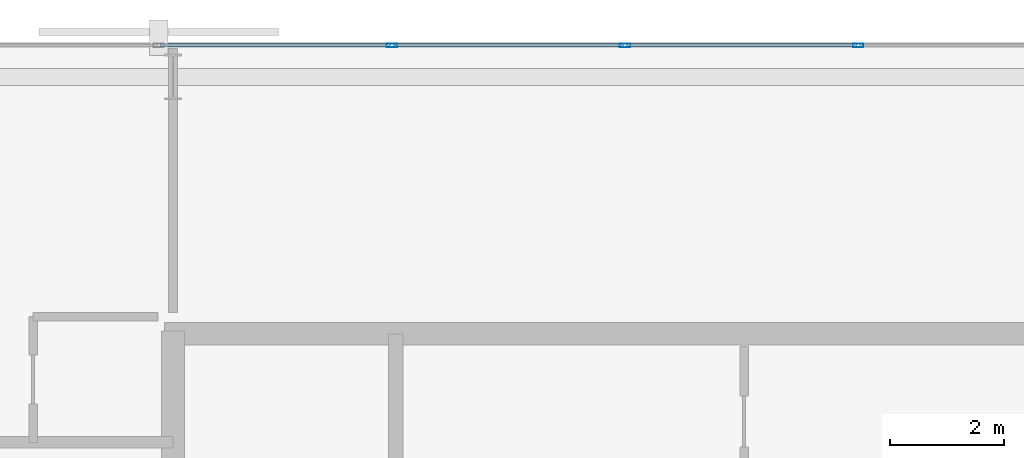
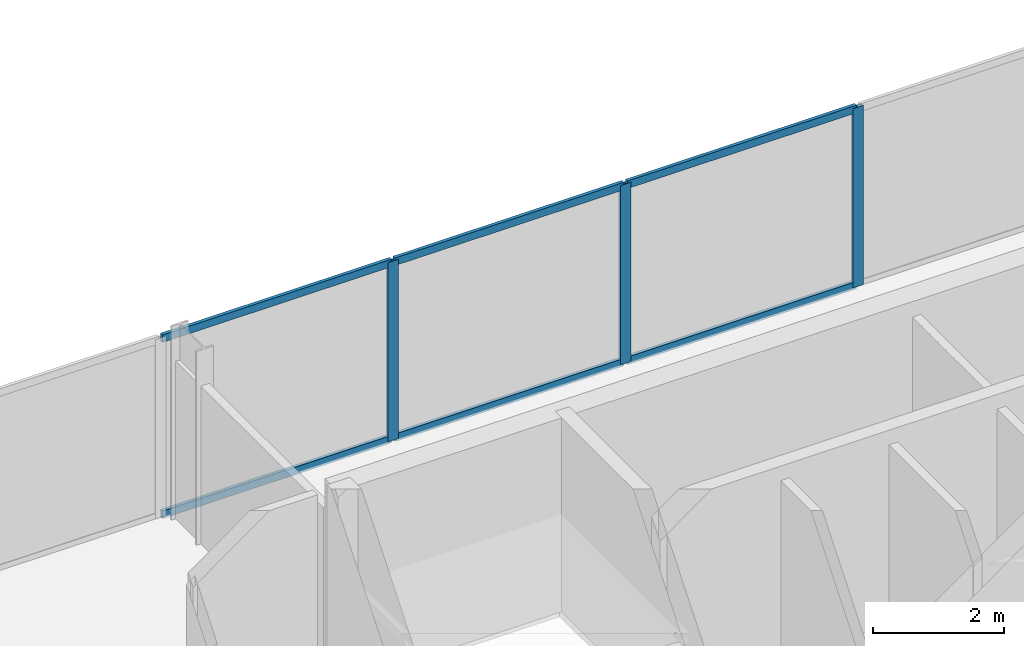
# One storey, part 23 of 33: 9 members, 1 element without a shape of its own.
"""IFC4 building model written with IfcOpenShell, lengths in metres."""

from ifc_helpers import new_model, si_unit, direction, frame, origin, origin_2d, place, context, subcontext, project, spatial, hollow_rectangle, extrude, material, layer, layer_set, material_profile, profile_set, type_object, element, aggregate, save


model = new_model("IFC4")

# Units and contexts
model_context = context("Model", 3, precision=1e-05, world=origin(), true_north=direction((0.0, 1.0)))
body_context = subcontext(model_context, "Body", "Model", "MODEL_VIEW")
ifc_project = project(units=[si_unit("LENGTHUNIT", "METRE"), si_unit("AREAUNIT", "SQUARE_METRE"), si_unit("VOLUMEUNIT", "CUBIC_METRE"), si_unit("PLANEANGLEUNIT", "RADIAN"), si_unit("MASSUNIT", "GRAM", prefix="KILO")], contexts=[model_context])

# Site, building, storey
site_placement = place(None, origin())
site = spatial("IfcSite", under=ifc_project, at=site_placement, CompositionType="ELEMENT")
building_placement = place(site_placement, origin())
building = spatial("IfcBuilding", under=site, at=building_placement, Name="Catumbela Crestline Tower", CompositionType="ELEMENT")
storey_placement = place(building_placement, frame((0.0, 0.0, 51.0)))
storey = spatial("IfcBuildingStorey", under=building, at=storey_placement, Name="L12", CompositionType="ELEMENT", Elevation=51.0)

# Curtain wall, members
ifc_material = material(Name="Aluminium alloy AW-6060-T66", Category="aluminium")
ifc_layer = layer(ifc_material, 0.18, Name="Aluminium alloy AW-6060-T66")
ifc_layer_set = layer_set([ifc_layer], Name="Aluminium alloy AW-6060-T66")
curtain_wall_type = type_object("IfcCurtainWallType", Name="CWU-Z1", PredefinedType="USERDEFINED", material=ifc_layer_set)
curtain_wall_placement = place(storey_placement, origin())
curtain_wall = element("IfcCurtainWall", 1, at=curtain_wall_placement, inside=storey, type_object=curtain_wall_type, Name="L12 Unitised Curtain Wall CW-L12-E7S1", ObjectType="UNITISED", PredefinedType="USERDEFINED")
ifc_material_profile_1 = material_profile(ifc_material, hollow_rectangle(XDim=0.065, YDim=0.18, WallThickness=0.004, at=origin_2d()), Name="ALU 180x65x4")
ifc_profile_set_1 = profile_set([ifc_material_profile_1], Name="Aluminium alloy AW-6060-T66")
member_type_1 = type_object("IfcMemberType", Name="MUL-180X65", PredefinedType="MULLION", material=ifc_profile_set_1)
member_1_placement = place(storey_placement, frame((28.0, 47.95, 0.0), z_axis=(0.0, 0.0, 1.0), x_axis=(0.0, -1.0, 0.0)))
member_1 = element("IfcMember", 2, at=member_1_placement, type_object=member_type_1, Name="CWU-Z1 mullion 7", PredefinedType="MULLION", context=body_context, shape_type="SweptSolid", body=[
    extrude(hollow_rectangle(XDim=0.065, YDim=0.18, WallThickness=0.004, at=origin_2d()), origin(), (0.0, 0.0, 1.0), 3.33),
])
member_2_placement = place(storey_placement, frame((23.9167, 47.95, 0.0), z_axis=(0.0, 0.0, 1.0), x_axis=(0.0, -1.0, 0.0)))
member_2 = element("IfcMember", 3, at=member_2_placement, type_object=member_type_1, Name="CWU-Z1 mullion 8", PredefinedType="MULLION", context=body_context, shape_type="SweptSolid", body=[
    extrude(hollow_rectangle(XDim=0.065, YDim=0.18, WallThickness=0.004, at=origin_2d()), origin(), (0.0, 0.0, 1.0), 3.33),
])
member_3_placement = place(storey_placement, frame((19.8333, 47.95, 0.0), z_axis=(0.0, 0.0, 1.0), x_axis=(0.0, -1.0, 0.0)))
member_3 = element("IfcMember", 4, at=member_3_placement, type_object=member_type_1, Name="CWU-Z1 mullion 9", PredefinedType="MULLION", context=body_context, shape_type="SweptSolid", body=[
    extrude(hollow_rectangle(XDim=0.065, YDim=0.18, WallThickness=0.004, at=origin_2d()), origin(), (0.0, 0.0, 1.0), 3.33),
])
ifc_material_profile_2 = material_profile(ifc_material, hollow_rectangle(XDim=0.06, YDim=0.14, WallThickness=0.004, at=origin_2d()), Name="ALU 140x60x4")
ifc_profile_set_2 = profile_set([ifc_material_profile_2], Name="Aluminium alloy AW-6060-T66")
member_type_2 = type_object("IfcMemberType", Name="TRN-140X60", PredefinedType="USERDEFINED", material=ifc_profile_set_2)
member_4_placement = place(storey_placement, frame((27.9675, 47.95, 0.03), z_axis=(-1.0, 0.0, 0.0), x_axis=(0.0, -1.0, 0.0)))
member_4 = element("IfcMember", 5, at=member_4_placement, type_object=member_type_2, Name="CWU-Z1 transom 7.1", ObjectType="TRANSOM", PredefinedType="USERDEFINED", context=body_context, shape_type="SweptSolid", body=[
    extrude(hollow_rectangle(XDim=0.06, YDim=0.14, WallThickness=0.004, at=origin_2d()), origin(), (0.0, 0.0, 1.0), 4.0183),
])
member_5_placement = place(storey_placement, frame((27.9675, 47.95, 3.3), z_axis=(-1.0, 0.0, 0.0), x_axis=(0.0, -1.0, 0.0)))
member_5 = element("IfcMember", 6, at=member_5_placement, type_object=member_type_2, Name="CWU-Z1 transom 7.2", ObjectType="TRANSOM", PredefinedType="USERDEFINED", context=body_context, shape_type="SweptSolid", body=[
    extrude(hollow_rectangle(XDim=0.06, YDim=0.14, WallThickness=0.004, at=origin_2d()), origin(), (0.0, 0.0, 1.0), 4.0183),
])
member_6_placement = place(storey_placement, frame((23.8842, 47.95, 0.03), z_axis=(-1.0, 0.0, 0.0), x_axis=(0.0, -1.0, 0.0)))
member_6 = element("IfcMember", 7, at=member_6_placement, type_object=member_type_2, Name="CWU-Z1 transom 8.1", ObjectType="TRANSOM", PredefinedType="USERDEFINED", context=body_context, shape_type="SweptSolid", body=[
    extrude(hollow_rectangle(XDim=0.06, YDim=0.14, WallThickness=0.004, at=origin_2d()), origin(), (0.0, 0.0, 1.0), 4.0184),
])
member_7_placement = place(storey_placement, frame((23.8842, 47.95, 3.3), z_axis=(-1.0, 0.0, 0.0), x_axis=(0.0, -1.0, 0.0)))
member_7 = element("IfcMember", 8, at=member_7_placement, type_object=member_type_2, Name="CWU-Z1 transom 8.2", ObjectType="TRANSOM", PredefinedType="USERDEFINED", context=body_context, shape_type="SweptSolid", body=[
    extrude(hollow_rectangle(XDim=0.06, YDim=0.14, WallThickness=0.004, at=origin_2d()), origin(), (0.0, 0.0, 1.0), 4.0184),
])
member_8_placement = place(storey_placement, frame((19.8008, 47.95, 0.03), z_axis=(-1.0, 0.0, 0.0), x_axis=(0.0, -1.0, 0.0)))
member_8 = element("IfcMember", 9, at=member_8_placement, type_object=member_type_2, Name="CWU-Z1 transom 9.1", ObjectType="TRANSOM", PredefinedType="USERDEFINED", context=body_context, shape_type="SweptSolid", body=[
    extrude(hollow_rectangle(XDim=0.06, YDim=0.14, WallThickness=0.004, at=origin_2d()), origin(), (0.0, 0.0, 1.0), 4.0183),
])
member_9_placement = place(storey_placement, frame((19.8008, 47.95, 3.3), z_axis=(-1.0, 0.0, 0.0), x_axis=(0.0, -1.0, 0.0)))
member_9 = element("IfcMember", 10, at=member_9_placement, type_object=member_type_2, Name="CWU-Z1 transom 9.2", ObjectType="TRANSOM", PredefinedType="USERDEFINED", context=body_context, shape_type="SweptSolid", body=[
    extrude(hollow_rectangle(XDim=0.06, YDim=0.14, WallThickness=0.004, at=origin_2d()), origin(), (0.0, 0.0, 1.0), 4.0183),
])
aggregate(curtain_wall, [member_1, member_2, member_3, member_4, member_5, member_6, member_7, member_8, member_9])

save(model, "model.ifc")
